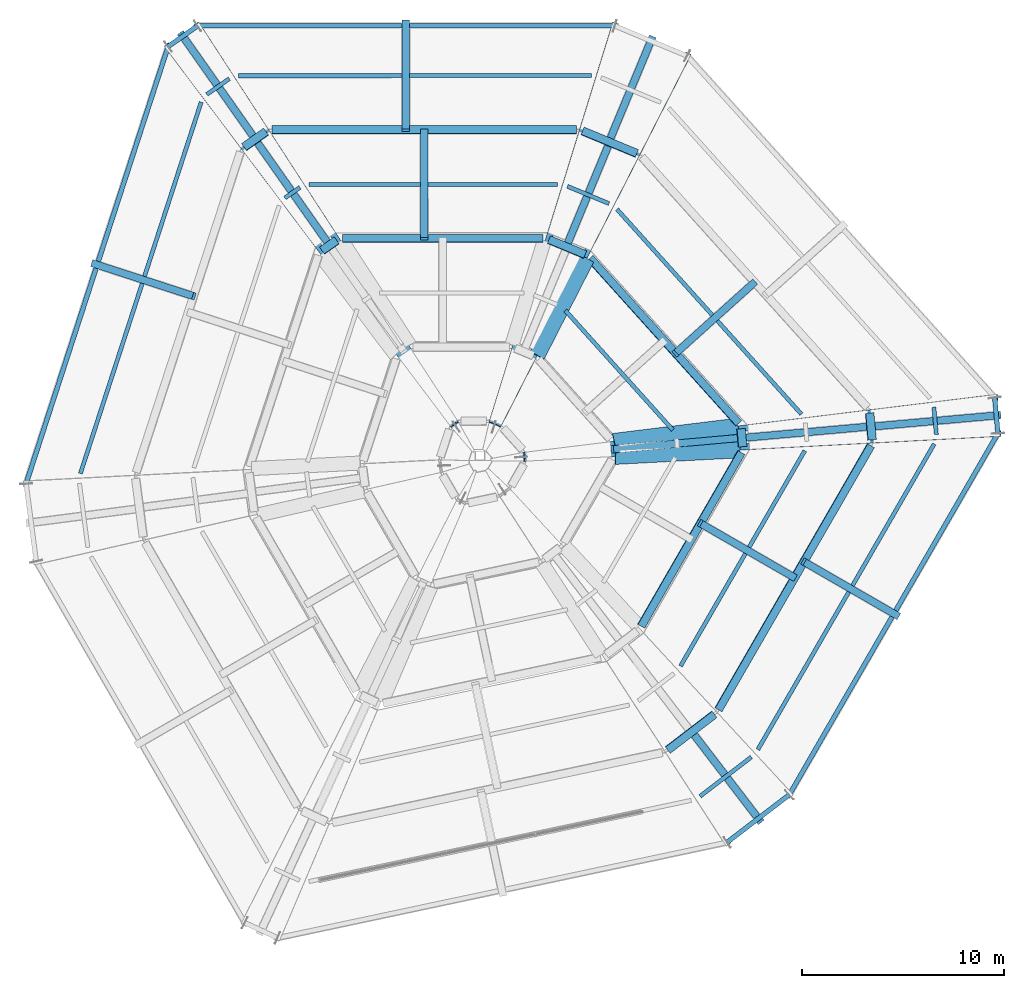
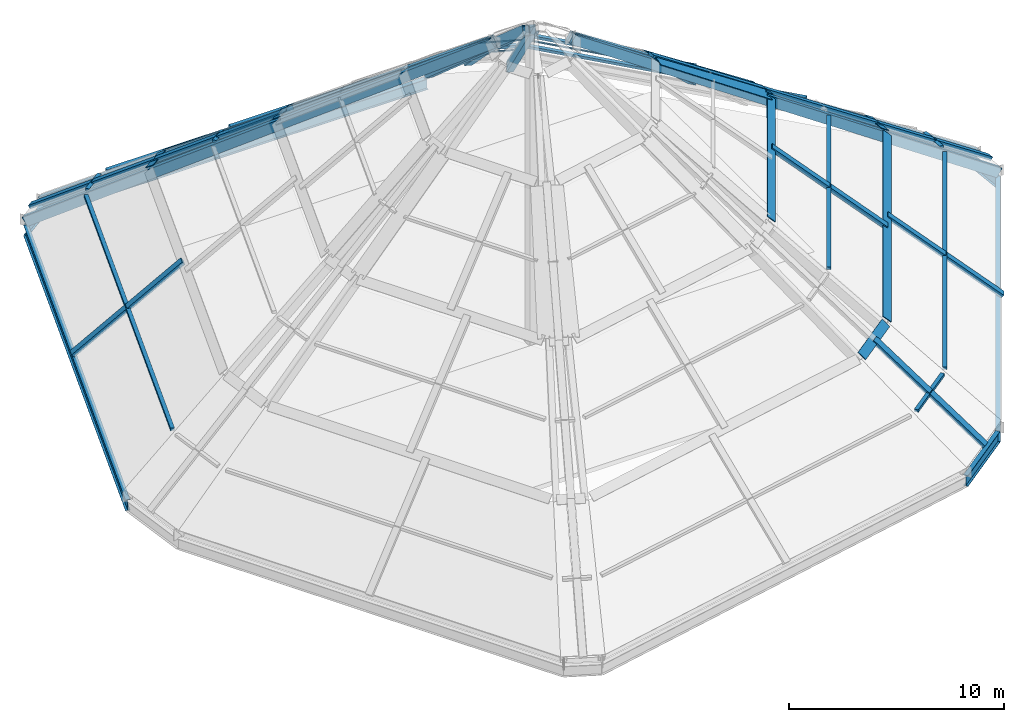
# One storey, part 3 of 10: 47 members, 6 beams, 8 elements without a shape of their own.
"""IFC4 building model written with IfcOpenShell, lengths in metres."""

from ifc_helpers import new_model, si_unit, direction, frame, origin, origin_2d, place, context, subcontext, project, spatial, rectangle, hollow_rectangle, i_section, extrude, material, layer, layer_set, material_profile, profile_set, type_object, element, aggregate, save


model = new_model("IFC4")

# Units and contexts
model_context = context("Model", 3, precision=1e-05, world=origin(), true_north=direction((0.0, 1.0)))
body_context = subcontext(model_context, "Body", "Model", "MODEL_VIEW")
ifc_project = project(units=[si_unit("LENGTHUNIT", "METRE"), si_unit("AREAUNIT", "SQUARE_METRE"), si_unit("VOLUMEUNIT", "CUBIC_METRE"), si_unit("PLANEANGLEUNIT", "RADIAN"), si_unit("MASSUNIT", "GRAM", prefix="KILO")], contexts=[model_context])

# Site, building, storey
site_placement = place(None, origin())
site = spatial("IfcSite", under=ifc_project, at=site_placement, CompositionType="ELEMENT")
building_placement = place(site_placement, origin())
building = spatial("IfcBuilding", under=site, at=building_placement, Name="Isthmus Gate Tower", CompositionType="ELEMENT")
storey_placement = place(building_placement, frame((0.0, 0.0, 315.60009765625)))
storey = spatial("IfcBuildingStorey", under=building, at=storey_placement, Name="C4", CompositionType="ELEMENT", Elevation=315.60009765625)

# Beams
ifc_material_1 = material(Name="Structural steel ASTM A992 Gr 50", Category="steel")
ifc_material_profile_1 = material_profile(ifc_material_1, i_section(OverallWidth=0.231689453125, OverallDepth=0.615966796875, WebThickness=0.0126953125, FlangeThickness=0.022216796875, at=origin_2d()), Name="W24X94")
ifc_profile_set_1 = profile_set([ifc_material_profile_1], Name="Structural steel ASTM A992 Gr 50")
beam_type = type_object("IfcBeamType", Name="CROWN RING BEAM W24X94", PredefinedType="BEAM", material=ifc_profile_set_1)
beam_1_placement = place(storey_placement, frame((6.659912109375, 21.5, -0.55810546875), z_axis=(-1.0, 0.0, 0.0), x_axis=(0.0, -1.0, 0.0)))
element("IfcBeam", 1, at=beam_1_placement, inside=storey, type_object=beam_type, Name="str-crownring-C4-00", PredefinedType="BEAM", context=body_context, shape_type="SweptSolid", body=[
    extrude(i_section(OverallWidth=0.231689453125, OverallDepth=0.615966796875, WebThickness=0.0126953125, FlangeThickness=0.022216796875, at=origin_2d()), origin(), (0.0, 0.0, 1.0), 20.629150390625),
])
beam_2_placement = place(storey_placement, frame((-13.96923828125, 21.5, -0.55810546875), z_axis=(-0.817882919468, -0.575384680055, 0.0), x_axis=(0.575384680055, -0.817882919468, 0.0)))
element("IfcBeam", 2, at=beam_2_placement, inside=storey, type_object=beam_type, Name="str-crownring-C4-01", PredefinedType="BEAM", context=body_context, shape_type="SweptSolid", body=[
    extrude(i_section(OverallWidth=0.231689453125, OverallDepth=0.615966796875, WebThickness=0.0126953125, FlangeThickness=0.022216796875, at=origin_2d()), origin(), (0.0, 0.0, 1.0), 1.780029296875),
])
beam_3_placement = place(storey_placement, frame((-15.425048828125, 20.475830078125, -0.55810546875), z_axis=(-0.309011031074, -0.951058453868, 0.0), x_axis=(0.951058453868, -0.309011031074, 0.0)))
element("IfcBeam", 3, at=beam_3_placement, inside=storey, type_object=beam_type, Name="str-crownring-C4-02", PredefinedType="BEAM", context=body_context, shape_type="SweptSolid", body=[
    extrude(i_section(OverallWidth=0.231689453125, OverallDepth=0.615966796875, WebThickness=0.0126953125, FlangeThickness=0.022216796875, at=origin_2d()), origin(), (0.0, 0.0, 1.0), 22.73193359375),
])
beam_4_placement = place(storey_placement, frame((12.215087890625, -18.8701171875, -0.55810546875), z_axis=(0.794203857672, 0.607651407025, 0.0), x_axis=(-0.607651407025, 0.794203857672, 0.0)))
element("IfcBeam", 4, at=beam_4_placement, inside=storey, type_object=beam_type, Name="str-crownring-C4-07", PredefinedType="BEAM", context=body_context, shape_type="SweptSolid", body=[
    extrude(i_section(OverallWidth=0.231689453125, OverallDepth=0.615966796875, WebThickness=0.0126953125, FlangeThickness=0.022216796875, at=origin_2d()), origin(), (0.0, 0.0, 1.0), 3.87109375),
])
beam_5_placement = place(storey_placement, frame((15.28955078125, -16.517822265625, -0.55810546875), z_axis=(0.499996999955, 0.866027135854, 0.0), x_axis=(-0.866027135854, 0.499996999955, 0.0)))
element("IfcBeam", 5, at=beam_5_placement, inside=storey, type_object=beam_type, Name="str-crownring-C4-08", PredefinedType="BEAM", context=body_context, shape_type="SweptSolid", body=[
    extrude(i_section(OverallWidth=0.231689453125, OverallDepth=0.615966796875, WebThickness=0.0126953125, FlangeThickness=0.022216796875, at=origin_2d()), origin(), (0.0, 0.0, 1.0), 20.629638671875),
])
beam_6_placement = place(storey_placement, frame((25.604248046875, 1.347900390625, -0.55810546875), z_axis=(-0.089447176589, 0.995991567535, 0.0), x_axis=(-0.995991567535, -0.089447176589, 0.0)))
element("IfcBeam", 6, at=beam_6_placement, inside=storey, type_object=beam_type, Name="str-crownring-C4-09", PredefinedType="BEAM", context=body_context, shape_type="SweptSolid", body=[
    extrude(i_section(OverallWidth=0.231689453125, OverallDepth=0.615966796875, WebThickness=0.0126953125, FlangeThickness=0.022216796875, at=origin_2d()), origin(), (0.0, 0.0, 1.0), 1.779541015625),
])

# Curtain wall, member
ifc_material_2 = material(Name="Aluminium, white powder-coated", Category="aluminium")
ifc_layer = layer(ifc_material_2, 0.199951171875)
ifc_layer_set = layer_set([ifc_layer], Name="CW-5 CROWN FACET CURTAIN WALL 200 DEEP")
curtain_wall_type = type_object("IfcCurtainWallType", Name="CW-5 CROWN FACET CURTAIN WALL 200 DEEP", PredefinedType="NOTDEFINED", material=ifc_layer_set)
curtain_wall_1_placement = place(storey_placement, origin())
curtain_wall_1 = element("IfcCurtainWall", 7, at=curtain_wall_1_placement, inside=storey, type_object=curtain_wall_type, Name="CW-5 facet 10", PredefinedType="NOTDEFINED")
ifc_material_3 = material(Name="Aluminium, white powder-coated", Category="aluminium")
ifc_material_profile_2 = material_profile(ifc_material_3, rectangle(XDim=0.800048828125, YDim=0.0400390625, at=origin_2d()), Name="800x40")
ifc_profile_set_2 = profile_set([ifc_material_profile_2], Name="Aluminium, white powder-coated")
member_type_1 = type_object("IfcMemberType", Name="CW-5 HIP CAP 800 X 40", PredefinedType="USERDEFINED", material=ifc_profile_set_2)
placement_1 = place(building_placement, frame((0.0, 0.0, 324.60009765625)))
member_1_placement = place(placement_1, frame((12.847900390625, 0.53662109375, 0.315673828125), z_axis=(-0.81732234149, -0.043013553328, 0.574572906019), x_axis=(-0.044150149474, -0.989602383255, -0.136886403113)))
member_1 = element("IfcMember", 8, at=member_1_placement, type_object=member_type_1, Name="CW-5 hip cap", ObjectType="CAP BAR", PredefinedType="USERDEFINED", context=body_context, shape_type="SweptSolid", body=[
    extrude(rectangle(XDim=0.800048828125, YDim=0.0400390625, at=origin_2d()), origin(), (0.0, 0.0, 1.0), 7.531982421875),
])

curtain_wall_2_placement = place(storey_placement, origin())
curtain_wall_2 = element("IfcCurtainWall", 9, at=curtain_wall_2_placement, inside=storey, type_object=curtain_wall_type, Name="CW-5 facet 11", PredefinedType="NOTDEFINED")
member_2_placement = place(placement_1, frame((12.7431640625, 1.70556640625, 0.3154296875), z_axis=(-0.812312114014, -0.099622266287, 0.574651575728), x_axis=(0.2229460118, -0.963512884638, 0.148114810063)))
member_2 = element("IfcMember", 10, at=member_2_placement, type_object=member_type_1, Name="CW-5 hip cap", ObjectType="CAP BAR", PredefinedType="USERDEFINED", context=body_context, shape_type="SweptSolid", body=[
    extrude(rectangle(XDim=0.800048828125, YDim=0.0400390625, at=origin_2d()), origin(), (0.0, 0.0, 1.0), 7.531005859375),
])

curtain_wall_3_placement = place(storey_placement, origin())
curtain_wall_3 = element("IfcCurtainWall", 11, at=curtain_wall_3_placement, inside=storey, type_object=curtain_wall_type, Name="CW-5 facet 12", PredefinedType="NOTDEFINED")
member_3_placement = place(placement_1, frame((5.26513671875, 10.0029296875, 0.319580078125), z_axis=(-0.355382911221, -0.694983608124, 0.625060613742), x_axis=(0.860202404298, -0.504814194668, -0.072211166039)))
member_3 = element("IfcMember", 12, at=member_3_placement, type_object=member_type_1, Name="CW-5 hip cap", ObjectType="CAP BAR", PredefinedType="USERDEFINED", context=body_context, shape_type="SweptSolid", body=[
    extrude(rectangle(XDim=0.800048828125, YDim=0.0400390625, at=origin_2d()), origin(), (0.0, 0.0, 1.0), 6.8994140625),
])

# Curtain wall, members
curtain_wall_4_placement = place(storey_placement, origin())
curtain_wall_4 = element("IfcCurtainWall", 13, at=curtain_wall_4_placement, inside=storey, type_object=curtain_wall_type, Name="CW-5 facet 1", PredefinedType="NOTDEFINED")
ifc_material_4 = material(Name="Aluminium, white powder-coated", Category="aluminium")
ifc_material_profile_3 = material_profile(ifc_material_4, rectangle(XDim=0.360107421875, YDim=0.199951171875, at=origin_2d()), Name="360x200")
ifc_profile_set_3 = profile_set([ifc_material_profile_3], Name="Aluminium, white powder-coated")
member_type_2 = type_object("IfcMemberType", Name="CW-5 RIB MULLION 360 X 200", PredefinedType="MULLION", material=ifc_profile_set_3)
member_4_placement = place(storey_placement, frame((-3.677978515625, 21.721923828125, 0.240966796875), z_axis=(0.000104476751, -0.766754878325, 0.641939986018), x_axis=(0.999999990717, 0.000136258345, 0.0)))
member_4 = element("IfcMember", 14, at=member_4_placement, type_object=member_type_2, Name="CW-5 rib mullion", PredefinedType="MULLION", context=body_context, shape_type="SweptSolid", body=[
    extrude(rectangle(XDim=0.360107421875, YDim=0.199951171875, at=origin_2d()), origin(), (0.0, 0.0, 1.0), 7.010498046875),
])
placement_2 = place(building_placement, frame((0.0, 0.0, 320.10009765625)))
member_5_placement = place(placement_2, frame((-2.764404296875, 16.346923828125, 0.240966796875), z_axis=(0.000174123268, -0.76676922148, 0.641922838566), x_axis=(0.999999974216, 0.000227086923, 0.0)))
member_5 = element("IfcMember", 15, at=member_5_placement, type_object=member_type_2, Name="CW-5 rib mullion", PredefinedType="MULLION", context=body_context, shape_type="SweptSolid", body=[
    extrude(rectangle(XDim=0.360107421875, YDim=0.199951171875, at=origin_2d()), origin(), (0.0, 0.0, 1.0), 7.010498046875),
])

curtain_wall_5_placement = place(storey_placement, origin())
curtain_wall_5 = element("IfcCurtainWall", 16, at=curtain_wall_5_placement, inside=storey, type_object=curtain_wall_type, Name="CW-5 facet 2", PredefinedType="NOTDEFINED")
member_6_placement = place(storey_placement, frame((-14.792724609375, 21.122314453125, 0.2421875), z_axis=(0.470712142422, -0.669313806965, 0.574847029028), x_axis=(0.817971151486, 0.575259241852, 0.0)))
member_6 = element("IfcMember", 17, at=member_6_placement, type_object=member_type_2, Name="CW-5 rib mullion", PredefinedType="MULLION", context=body_context, shape_type="SweptSolid", body=[
    extrude(rectangle(XDim=0.360107421875, YDim=0.199951171875, at=origin_2d()), origin(), (0.0, 0.0, 1.0), 7.828125),
])
member_7_placement = place(placement_2, frame((-11.11865234375, 15.87548828125, 0.2421875), z_axis=(0.470678039203, -0.669340847958, 0.574843467969), x_axis=(0.818001697473, 0.575215805529, 0.0)))
member_7 = element("IfcMember", 18, at=member_7_placement, type_object=member_type_2, Name="CW-5 rib mullion", PredefinedType="MULLION", context=body_context, shape_type="SweptSolid", body=[
    extrude(rectangle(XDim=0.360107421875, YDim=0.199951171875, at=origin_2d()), origin(), (0.0, 0.0, 1.0), 7.828125),
])

# Curtain wall, member
curtain_wall_6_placement = place(storey_placement, origin())
curtain_wall_6 = element("IfcCurtainWall", 19, at=curtain_wall_6_placement, inside=storey, type_object=curtain_wall_type, Name="CW-5 facet 3", PredefinedType="NOTDEFINED")
member_8_placement = place(storey_placement, frame((-19.14501953125, 9.753173828125, 0.240234375), z_axis=(0.722013445314, -0.23476294185, 0.6508325022), x_axis=(0.309215412223, 0.950992023544, 0.0)))
member_8 = element("IfcMember", 20, at=member_8_placement, type_object=member_type_2, Name="CW-5 rib mullion", PredefinedType="MULLION", context=body_context, shape_type="SweptSolid", body=[
    extrude(rectangle(XDim=0.360107421875, YDim=0.199951171875, at=origin_2d()), origin(), (0.0, 0.0, 1.0), 6.91455078125),
])

curtain_wall_7_placement = place(storey_placement, origin())
curtain_wall_7 = element("IfcCurtainWall", 21, at=curtain_wall_7_placement, inside=storey, type_object=curtain_wall_type, Name="CW-5 facet 8", PredefinedType="NOTDEFINED")
member_9_placement = place(storey_placement, frame((13.862548828125, -17.8349609375, 0.239013671875), z_axis=(-0.473991915543, 0.618999262367, 0.626236039516), x_axis=(-0.793961839583, -0.607967595588, 0.0)))
member_9 = element("IfcMember", 22, at=member_9_placement, type_object=member_type_2, Name="CW-5 rib mullion", PredefinedType="MULLION", context=body_context, shape_type="SweptSolid", body=[
    extrude(rectangle(XDim=0.360107421875, YDim=0.199951171875, at=origin_2d()), origin(), (0.0, 0.0, 1.0), 7.185791015625),
])

# Curtain wall, members
curtain_wall_8_placement = place(storey_placement, origin())
curtain_wall_8 = element("IfcCurtainWall", 23, at=curtain_wall_8_placement, inside=storey, type_object=curtain_wall_type, Name="CW-5 facet 9", PredefinedType="NOTDEFINED")
member_10_placement = place(storey_placement, frame((20.650634765625, -7.675537109375, 0.240966796875), z_axis=(-0.664093693363, 0.383258225154, 0.641944467448), x_axis=(-0.49984696261, -0.866113741936, 0.0)))
member_10 = element("IfcMember", 24, at=member_10_placement, type_object=member_type_2, Name="CW-5 rib mullion", PredefinedType="MULLION", context=body_context, shape_type="SweptSolid", body=[
    extrude(rectangle(XDim=0.360107421875, YDim=0.199951171875, at=origin_2d()), origin(), (0.0, 0.0, 1.0), 7.01025390625),
])
member_11_placement = place(placement_2, frame((15.5390625, -5.779296875, 0.240966796875), z_axis=(-0.664122023086, 0.383219650867, 0.641938188334), x_axis=(-0.499793227184, -0.866144751217, 0.0)))
member_11 = element("IfcMember", 25, at=member_11_placement, type_object=member_type_2, Name="CW-5 rib mullion", PredefinedType="MULLION", context=body_context, shape_type="SweptSolid", body=[
    extrude(rectangle(XDim=0.360107421875, YDim=0.199951171875, at=origin_2d()), origin(), (0.0, 0.0, 1.0), 7.010498046875),
])

# Member
member_12_placement = place(storey_placement, frame((25.68896484375, 2.249755859375, 0.2421875), z_axis=(-0.814996772994, -0.072979199786, 0.574851542929), x_axis=(0.089188525335, -0.996014762415, 0.0)))
member_12 = element("IfcMember", 26, at=member_12_placement, type_object=member_type_2, Name="CW-5 rib mullion", PredefinedType="MULLION", context=body_context, shape_type="SweptSolid", body=[
    extrude(rectangle(XDim=0.360107421875, YDim=0.199951171875, at=origin_2d()), origin(), (0.0, 0.0, 1.0), 7.828125),
])

member_13_placement = place(placement_2, frame((19.307861328125, 1.691162109375, 0.2421875), z_axis=(-0.815009099321, -0.072946323932, 0.574838239723), x_axis=(0.089147329264, -0.996018450474, 0.0)))
member_13 = element("IfcMember", 27, at=member_13_placement, type_object=member_type_2, Name="CW-5 rib mullion", PredefinedType="MULLION", context=body_context, shape_type="SweptSolid", body=[
    extrude(rectangle(XDim=0.360107421875, YDim=0.199951171875, at=origin_2d()), origin(), (0.0, 0.0, 1.0), 7.828369140625),
])

member_14_placement = place(placement_1, frame((12.9267578125, 1.1328125, 0.2421875), z_axis=(-0.815012806012, -0.07288428147, 0.574840854108), x_axis=(0.089071707413, -0.996025216015, 0.0)))
member_14 = element("IfcMember", 28, at=member_14_placement, type_object=member_type_2, Name="CW-5 rib mullion", PredefinedType="MULLION", context=body_context, shape_type="SweptSolid", body=[
    extrude(rectangle(XDim=0.360107421875, YDim=0.199951171875, at=origin_2d()), origin(), (0.0, 0.0, 1.0), 7.828369140625),
])

member_15_placement = place(placement_2, frame((13.55908203125, 8.811767578125, 0.240234375), z_axis=(-0.564357243278, -0.507865026734, 0.650825642227), x_axis=(0.668923621471, -0.743331143326, 0.0)))
member_15 = element("IfcMember", 29, at=member_15_placement, type_object=member_type_2, Name="CW-5 rib mullion", PredefinedType="MULLION", context=body_context, shape_type="SweptSolid", body=[
    extrude(rectangle(XDim=0.360107421875, YDim=0.199951171875, at=origin_2d()), origin(), (0.0, 0.0, 1.0), 6.91455078125),
])

member_16_placement = place(storey_placement, frame((8.51416015625, 20.9228515625, 0.239013671875), z_axis=(-0.299080741856, -0.719995351745, 0.626224722696), x_axis=(0.923494103678, -0.383612617718, 0.0)))
member_16 = element("IfcMember", 30, at=member_16_placement, type_object=member_type_2, Name="CW-5 rib mullion", PredefinedType="MULLION", context=body_context, shape_type="SweptSolid", body=[
    extrude(rectangle(XDim=0.360107421875, YDim=0.199951171875, at=origin_2d()), origin(), (0.0, 0.0, 1.0), 7.18603515625),
])

member_17_placement = place(placement_2, frame((6.40234375, 15.733642578125, 0.239013671875), z_axis=(-0.298980615982, -0.720033658467, 0.626228490203), x_axis=(0.923546822083, -0.383485680854, 0.0)))
member_17 = element("IfcMember", 31, at=member_17_placement, type_object=member_type_2, Name="CW-5 rib mullion", PredefinedType="MULLION", context=body_context, shape_type="SweptSolid", body=[
    extrude(rectangle(XDim=0.360107421875, YDim=0.199951171875, at=origin_2d()), origin(), (0.0, 0.0, 1.0), 7.185791015625),
])

ifc_material_5 = material(Name="Aluminium, white powder-coated", Category="aluminium")
ifc_material_profile_4 = material_profile(ifc_material_5, rectangle(XDim=0.5, YDim=0.0400390625, at=origin_2d()), Name="500x40")
ifc_profile_set_4 = profile_set([ifc_material_profile_4], Name="Aluminium, white powder-coated")
member_type_3 = type_object("IfcMemberType", Name="CW-5 STAGE CAP 500 X 40", PredefinedType="USERDEFINED", material=ifc_profile_set_4)
member_18_placement = place(storey_placement, frame((4.771728515625, 16.361328125, 4.755126953125), z_axis=(-0.999999964711, -0.00021057405, 0.000161980038), x_axis=(0.000265440193, -0.766757646097, 0.641936633706)))
member_18 = element("IfcMember", 32, at=member_18_placement, type_object=member_type_3, Name="CW-5 stage cap", ObjectType="CAP BAR", PredefinedType="USERDEFINED", context=body_context, shape_type="SweptSolid", body=[
    extrude(rectangle(XDim=0.5, YDim=0.0400390625, at=origin_2d()), origin(), (0.0, 0.0, 1.0), 15.072265625),
])

member_19_placement = place(placement_2, frame((3.106689453125, 10.986328125, 4.755126953125), z_axis=(-0.999999918452, -0.000320102407, 0.000246232621), x_axis=(0.000403506722, -0.766757610282, 0.641936604547)))
member_19 = element("IfcMember", 33, at=member_19_placement, type_object=member_type_3, Name="CW-5 stage cap", ObjectType="CAP BAR", PredefinedType="USERDEFINED", context=body_context, shape_type="SweptSolid", body=[
    extrude(rectangle(XDim=0.5, YDim=0.0400390625, at=origin_2d()), origin(), (0.0, 0.0, 1.0), 9.9150390625),
])

member_20_placement = place(storey_placement, frame((-10.579833984375, 16.268310546875, 4.7587890625), z_axis=(-0.818017027937, -0.575193974647, -0.000183124475), x_axis=(0.470574136943, -0.669414044261, 0.574843299505)))
member_20 = element("IfcMember", 34, at=member_20_placement, type_object=member_type_3, Name="CW-5 stage cap", ObjectType="CAP BAR", PredefinedType="USERDEFINED", context=body_context, shape_type="SweptSolid", body=[
    extrude(rectangle(XDim=0.5, YDim=0.0400390625, at=origin_2d()), origin(), (0.0, 0.0, 1.0), 1.333251953125),
])

member_21_placement = place(placement_2, frame((-7.087646484375, 10.893310546875, 4.7587890625), z_axis=(-0.817964461437, -0.575268688773, -0.00027485365), x_axis=(0.470592163237, -0.669401395636, 0.57484327205)))
member_21 = element("IfcMember", 35, at=member_21_placement, type_object=member_type_3, Name="CW-5 stage cap", ObjectType="CAP BAR", PredefinedType="USERDEFINED", context=body_context, shape_type="SweptSolid", body=[
    extrude(rectangle(XDim=0.5, YDim=0.0400390625, at=origin_2d()), origin(), (0.0, 0.0, 1.0), 0.88818359375),
])

member_22_placement = place(storey_placement, frame((9.278564453125, -14.304931640625, 4.75390625), z_axis=(0.793880664267, 0.608073444993, 0.000419998235), x_axis=(-0.474284034046, 0.618777073284, 0.626234451805)))
member_22 = element("IfcMember", 36, at=member_22_placement, type_object=member_type_3, Name="CW-5 stage cap", ObjectType="CAP BAR", PredefinedType="USERDEFINED", context=body_context, shape_type="SweptSolid", body=[
    extrude(rectangle(XDim=0.5, YDim=0.0400390625, at=origin_2d()), origin(), (0.0, 0.0, 1.0), 2.906494140625),
])

member_23_placement = place(storey_placement, frame((11.783447265625, -12.31298828125, 4.755126953125), z_axis=(0.49981172316, 0.866134063037, 0.000161982021), x_axis=(-0.6641669293, 0.383144422288, 0.641936633706)))
member_23 = element("IfcMember", 37, at=member_23_placement, type_object=member_type_3, Name="CW-5 stage cap", ObjectType="CAP BAR", PredefinedType="USERDEFINED", context=body_context, shape_type="SweptSolid", body=[
    extrude(rectangle(XDim=0.5, YDim=0.0400390625, at=origin_2d()), origin(), (0.0, 0.0, 1.0), 15.072021484375),
])

member_24_placement = place(placement_2, frame((7.9609375, -8.18359375, 4.755126953125), z_axis=(0.499733096625, 0.866179410692, 0.000246234588), x_axis=(-0.664228744318, 0.383037297094, 0.641936604547)))
member_24 = element("IfcMember", 38, at=member_24_placement, type_object=member_type_3, Name="CW-5 stage cap", ObjectType="CAP BAR", PredefinedType="USERDEFINED", context=body_context, shape_type="SweptSolid", body=[
    extrude(rectangle(XDim=0.5, YDim=0.0400390625, at=origin_2d()), origin(), (0.0, 0.0, 1.0), 9.9150390625),
])

member_25_placement = place(storey_placement, frame((19.378662109375, 1.0283203125, 4.7587890625), z_axis=(-0.089181738746, 0.996015353265, -0.00018312472), x_axis=(-0.815012419492, -0.07286931513, 0.574843299505)))
member_25 = element("IfcMember", 39, at=member_25_placement, type_object=member_type_3, Name="CW-5 stage cap", ObjectType="CAP BAR", PredefinedType="USERDEFINED", context=body_context, shape_type="SweptSolid", body=[
    extrude(rectangle(XDim=0.5, YDim=0.0400390625, at=origin_2d()), origin(), (0.0, 0.0, 1.0), 1.333251953125),
])

member_26_placement = place(placement_2, frame((12.9775390625, 0.69140625, 4.7587890625), z_axis=(-0.089048791827, 0.996027227106, -0.00027484195), x_axis=(-0.81502684423, -0.072708017179, 0.574843272051)))
member_26 = element("IfcMember", 40, at=member_26_placement, type_object=member_type_3, Name="CW-5 stage cap", ObjectType="CAP BAR", PredefinedType="USERDEFINED", context=body_context, shape_type="SweptSolid", body=[
    extrude(rectangle(XDim=0.5, YDim=0.0400390625, at=origin_2d()), origin(), (0.0, 0.0, 1.0), 0.88818359375),
])

member_27_placement = place(placement_2, frame((12.783203125, 1.8447265625, 4.75732421875), z_axis=(-0.66886033729, 0.743388013157, -0.000333308032), x_axis=(-0.564537755876, -0.507648734782, 0.65083783254)))
member_27 = element("IfcMember", 41, at=member_27_placement, type_object=member_type_3, Name="CW-5 stage cap", ObjectType="CAP BAR", PredefinedType="USERDEFINED", context=body_context, shape_type="SweptSolid", body=[
    extrude(rectangle(XDim=0.5, YDim=0.0400390625, at=origin_2d()), origin(), (0.0, 0.0, 1.0), 10.987060546875),
])

member_28_placement = place(storey_placement, frame((7.749267578125, 15.18798828125, 4.75390625), z_axis=(-0.923560714222, 0.383451992762, 0.00041999123), x_axis=(-0.298709616086, -0.720140942197, 0.626234451806)))
member_28 = element("IfcMember", 42, at=member_28_placement, type_object=member_type_3, Name="CW-5 stage cap", ObjectType="CAP BAR", PredefinedType="USERDEFINED", context=body_context, shape_type="SweptSolid", body=[
    extrude(rectangle(XDim=0.5, YDim=0.0400390625, at=origin_2d()), origin(), (0.0, 0.0, 1.0), 2.906494140625),
])

member_29_placement = place(placement_2, frame((5.190673828125, 10.184326171875, 4.754150390625), z_axis=(-0.923605007337, 0.383345192573, 0.000503738755), x_axis=(-0.298577936974, -0.720195639669, 0.626234346036)))
member_29 = element("IfcMember", 43, at=member_29_placement, type_object=member_type_3, Name="CW-5 stage cap", ObjectType="CAP BAR", PredefinedType="USERDEFINED", context=body_context, shape_type="SweptSolid", body=[
    extrude(rectangle(XDim=0.5, YDim=0.0400390625, at=origin_2d()), origin(), (0.0, 0.0, 1.0), 1.938720703125),
])

ifc_material_6 = material(Name="Aluminium, white powder-coated", Category="aluminium")
ifc_material_profile_5 = material_profile(ifc_material_6, rectangle(XDim=0.199951171875, YDim=0.14990234375, at=origin_2d()), Name="200x150")
ifc_profile_set_5 = profile_set([ifc_material_profile_5], Name="Aluminium, white powder-coated")
member_type_4 = type_object("IfcMemberType", Name="CW-5 TRANSOM 200 X 150", PredefinedType="USERDEFINED", material=ifc_profile_set_5)
member_30_placement = place(storey_placement, frame((5.504150390625, 19.035888671875, 2.48974609375), z_axis=(-0.99999997162, -0.000181871593, 0.000153891348), x_axis=(0.000181871596, -0.999999983461, 0.0)))
member_30 = element("IfcMember", 44, at=member_30_placement, type_object=member_type_4, Name="CW-5 transom", ObjectType="TRANSOM", PredefinedType="USERDEFINED", context=body_context, shape_type="SweptSolid", body=[
    extrude(rectangle(XDim=0.199951171875, YDim=0.14990234375, at=origin_2d()), origin(), (0.0, 0.0, 1.0), 17.450927734375),
])

member_31_placement = place(placement_2, frame((3.839111328125, 13.660888671875, 2.48974609375), z_axis=(-0.999999942813, -0.000258172126, 0.000218453338), x_axis=(0.000258172133, -0.999999966674, 0.0)))
member_31 = element("IfcMember", 45, at=member_31_placement, type_object=member_type_4, Name="CW-5 transom", ObjectType="TRANSOM", PredefinedType="USERDEFINED", context=body_context, shape_type="SweptSolid", body=[
    extrude(rectangle(XDim=0.199951171875, YDim=0.14990234375, at=origin_2d()), origin(), (0.0, 0.0, 1.0), 12.29345703125),
])

aggregate(curtain_wall_4, [member_18, member_19, member_4, member_30, member_5, member_31])

member_32_placement = place(storey_placement, frame((-12.401123046875, 18.888916015625, 2.492431640625), z_axis=(-0.817969574929, -0.575261455403, -0.000180050534), x_axis=(0.575261464728, -0.817969588187, 0.0)))
member_32 = element("IfcMember", 46, at=member_32_placement, type_object=member_type_4, Name="CW-5 transom", ObjectType="TRANSOM", PredefinedType="USERDEFINED", context=body_context, shape_type="SweptSolid", body=[
    extrude(rectangle(XDim=0.199951171875, YDim=0.14990234375, at=origin_2d()), origin(), (0.0, 0.0, 1.0), 1.35595703125),
])

member_33_placement = place(placement_2, frame((-8.908935546875, 13.513916015625, 2.492431640625), z_axis=(-0.81802124704, -0.57518794107, -0.000268027932), x_axis=(0.575187961731, -0.818021276422, 0.0)))
member_33 = element("IfcMember", 47, at=member_33_placement, type_object=member_type_4, Name="CW-5 transom", ObjectType="TRANSOM", PredefinedType="USERDEFINED", context=body_context, shape_type="SweptSolid", body=[
    extrude(rectangle(XDim=0.199951171875, YDim=0.14990234375, at=origin_2d()), origin(), (0.0, 0.0, 1.0), 0.910888671875),
])

aggregate(curtain_wall_5, [member_20, member_21, member_6, member_32, member_7, member_33])

member_34_placement = place(storey_placement, frame((-13.7919921875, 17.7275390625, 2.4921875), z_axis=(-0.309225561632, -0.950988701888, -0.000202273466), x_axis=(0.950988721343, -0.309225567958, 0.0)))
member_34 = element("IfcMember", 48, at=member_34_placement, type_object=member_type_4, Name="CW-5 transom", ObjectType="TRANSOM", PredefinedType="USERDEFINED", context=body_context, shape_type="SweptSolid", body=[
    extrude(rectangle(XDim=0.199951171875, YDim=0.14990234375, at=origin_2d()), origin(), (0.0, 0.0, 1.0), 19.311767578125),
])

aggregate(curtain_wall_6, [member_8, member_34])

member_35_placement = place(storey_placement, frame((10.877197265625, -16.593017578125, 2.48828125), z_axis=(0.79391657654, 0.608026527917, 0.000459176736), x_axis=(-0.608026592016, 0.793916660236, 0.0)))
member_35 = element("IfcMember", 49, at=member_35_placement, type_object=member_type_4, Name="CW-5 transom", ObjectType="TRANSOM", PredefinedType="USERDEFINED", context=body_context, shape_type="SweptSolid", body=[
    extrude(rectangle(XDim=0.199951171875, YDim=0.14990234375, at=origin_2d()), origin(), (0.0, 0.0, 1.0), 3.190185546875),
])

aggregate(curtain_wall_7, [member_22, member_9, member_35])

member_36_placement = place(storey_placement, frame((13.7333984375, -14.28466796875, 2.48974609375), z_axis=(0.499851225228, 0.866111268231, 0.000153890774), x_axis=(-0.866111278486, 0.499851231146, 0.0)))
member_36 = element("IfcMember", 50, at=member_36_placement, type_object=member_type_4, Name="CW-5 transom", ObjectType="TRANSOM", PredefinedType="USERDEFINED", context=body_context, shape_type="SweptSolid", body=[
    extrude(rectangle(XDim=0.199951171875, YDim=0.14990234375, at=origin_2d()), origin(), (0.0, 0.0, 1.0), 17.450927734375),
])

member_37_placement = place(placement_2, frame((9.9111328125, -10.1552734375, 2.48974609375), z_axis=(0.499774590134, 0.866155477577, 0.00021845031), x_axis=(-0.866155498243, 0.499774602059, 0.0)))
member_37 = element("IfcMember", 51, at=member_37_placement, type_object=member_type_4, Name="CW-5 transom", ObjectType="TRANSOM", PredefinedType="USERDEFINED", context=body_context, shape_type="SweptSolid", body=[
    extrude(rectangle(XDim=0.199951171875, YDim=0.14990234375, at=origin_2d()), origin(), (0.0, 0.0, 1.0), 12.293701171875),
])

aggregate(curtain_wall_8, [member_23, member_24, member_10, member_36, member_11, member_37])

member_38_placement = place(storey_placement, frame((22.558837890625, 1.29541015625, 2.492431640625), z_axis=(-0.089139302214, 0.996019152613, -0.000180079398), x_axis=(-0.996019168763, -0.089139303659, 0.0)))
member_38 = element("IfcMember", 52, at=member_38_placement, type_object=member_type_4, Name="CW-5 transom", ObjectType="TRANSOM", PredefinedType="USERDEFINED", context=body_context, shape_type="SweptSolid", body=[
    extrude(rectangle(XDim=0.199951171875, YDim=0.14990234375, at=origin_2d()), origin(), (0.0, 0.0, 1.0), 1.355712890625),
])

aggregate(curtain_wall_1, [member_25, member_26, member_12, member_38, member_13, member_14, member_1])

member_39_placement = place(placement_2, frame((15.88720703125, 2.30029296875, 2.4921875), z_axis=(-0.668901360095, 0.743351120475, -0.000286620829), x_axis=(-0.743351151008, -0.668901387571, 0.0)))
member_39 = element("IfcMember", 53, at=member_39_placement, type_object=member_type_4, Name="CW-5 transom", ObjectType="TRANSOM", PredefinedType="USERDEFINED", context=body_context, shape_type="SweptSolid", body=[
    extrude(rectangle(XDim=0.199951171875, YDim=0.14990234375, at=origin_2d()), origin(), (0.0, 0.0, 1.0), 13.628662109375),
])

member_40_placement = place(placement_1, frame((9.52587890625, 1.520263671875, 2.4921875), z_axis=(-0.668738837095, 0.743497226667, -0.00049162936), x_axis=(-0.743497316519, -0.668738917912, 0.0)))
member_40 = element("IfcMember", 54, at=member_40_placement, type_object=member_type_4, Name="CW-5 transom", ObjectType="TRANSOM", PredefinedType="USERDEFINED", context=body_context, shape_type="SweptSolid", body=[
    extrude(rectangle(XDim=0.199951171875, YDim=0.14990234375, at=origin_2d()), origin(), (0.0, 0.0, 1.0), 7.945556640625),
])

aggregate(curtain_wall_2, [member_27, member_15, member_39, member_40, member_2])

member_41_placement = place(placement_2, frame((6.372802734375, 12.712890625, 2.48828125), z_axis=(-0.923556968655, 0.383460677637, 0.000659055877), x_axis=(-0.383460760916, -0.923557169231, 0.0)))
member_41 = element("IfcMember", 55, at=member_41_placement, type_object=member_type_4, Name="CW-5 transom", ObjectType="TRANSOM", PredefinedType="USERDEFINED", context=body_context, shape_type="SweptSolid", body=[
    extrude(rectangle(XDim=0.199951171875, YDim=0.14990234375, at=origin_2d()), origin(), (0.0, 0.0, 1.0), 2.22265625),
])

aggregate(curtain_wall_3, [member_28, member_29, member_16, member_17, member_41, member_3])

# Members
ifc_material_7 = material(Name="Structural steel ASTM A500 Gr C", Category="steel")
ifc_material_profile_6 = material_profile(ifc_material_7, hollow_rectangle(XDim=0.3046875, YDim=0.508056640625, WallThickness=0.014892578125, at=origin_2d()), Name="HSS20X12X5/8")
ifc_profile_set_6 = profile_set([ifc_material_profile_6], Name="Structural steel ASTM A500 Gr C")
member_type_5 = type_object("IfcMemberType", Name="PYRAMID RIB HSS20X12X5/8", PredefinedType="RAFTER", material=ifc_profile_set_6)
member_42_placement = place(storey_placement, frame((6.659912109375, 21.5, 0.0), z_axis=(-0.231088406813, -0.746007555946, 0.624556542443), x_axis=(0.955220292899, -0.295895576234, 0.0)))
element("IfcMember", 56, at=member_42_placement, inside=storey, type_object=member_type_5, Name="str-crownhip-C4-00", PredefinedType="RAFTER", context=body_context, shape_type="SweptSolid", body=[
    extrude(hollow_rectangle(XDim=0.3046875, YDim=0.508056640625, WallThickness=0.014892578125, at=origin_2d()), origin(), (0.0, 0.0, 1.0), 26.514404296875),
])
member_43_placement = place(storey_placement, frame((-13.96923828125, 21.5, 0.0), z_axis=(0.445919236216, -0.686307832279, 0.574576012487), x_axis=(0.838544573277, 0.544833000677, 0.0)))
element("IfcMember", 57, at=member_43_placement, inside=storey, type_object=member_type_5, Name="str-crownhip-C4-01", PredefinedType="RAFTER", context=body_context, shape_type="SweptSolid", body=[
    extrude(hollow_rectangle(XDim=0.3046875, YDim=0.508056640625, WallThickness=0.014892578125, at=origin_2d()), origin(), (0.0, 0.0, 1.0), 28.821044921875),
])
member_44_placement = place(storey_placement, frame((-15.425048828125, 20.475830078125, 0.0), z_axis=(0.492441994559, -0.653677840903, 0.574635677893), x_axis=(0.798717480222, 0.601706229641, 0.0)))
element("IfcMember", 58, at=member_44_placement, inside=storey, type_object=member_type_5, Name="str-crownhip-C4-02", PredefinedType="RAFTER", context=body_context, shape_type="SweptSolid", body=[
    extrude(hollow_rectangle(XDim=0.3046875, YDim=0.508056640625, WallThickness=0.014892578125, at=origin_2d()), origin(), (0.0, 0.0, 1.0), 28.81787109375),
])
member_45_placement = place(storey_placement, frame((25.604248046875, 1.347900390625, 0.0), z_axis=(-0.817319584503, -0.043023953668, 0.574576049099), x_axis=(0.052567524813, -0.998617371837, 0.0)))
element("IfcMember", 59, at=member_45_placement, inside=storey, type_object=member_type_5, Name="str-crownhip-C4-09", PredefinedType="RAFTER", context=body_context, shape_type="SweptSolid", body=[
    extrude(hollow_rectangle(XDim=0.3046875, YDim=0.508056640625, WallThickness=0.014892578125, at=origin_2d()), origin(), (0.0, 0.0, 1.0), 28.821044921875),
])
member_46_placement = place(storey_placement, frame((25.445068359375, 3.120361328125, 0.0), z_axis=(-0.812323512054, -0.099612033736, 0.574637237306), x_axis=(0.121714358435, -0.99256516912, 0.0)))
element("IfcMember", 60, at=member_46_placement, inside=storey, type_object=member_type_5, Name="str-crownhip-C4-10", PredefinedType="RAFTER", context=body_context, shape_type="SweptSolid", body=[
    extrude(hollow_rectangle(XDim=0.3046875, YDim=0.508056640625, WallThickness=0.014892578125, at=origin_2d()), origin(), (0.0, 0.0, 1.0), 28.81787109375),
])
member_47_placement = place(storey_placement, frame((10.234375, 20.013671875, 0.0), z_axis=(-0.355390641657, -0.694986553246, 0.625052943861), x_axis=(0.89034365979, -0.455289103178, 0.0)))
element("IfcMember", 61, at=member_47_placement, inside=storey, type_object=member_type_5, Name="str-crownhip-C4-11", PredefinedType="RAFTER", context=body_context, shape_type="SweptSolid", body=[
    extrude(hollow_rectangle(XDim=0.3046875, YDim=0.508056640625, WallThickness=0.014892578125, at=origin_2d()), origin(), (0.0, 0.0, 1.0), 26.493408203125),
])

save(model, "model.ifc")
